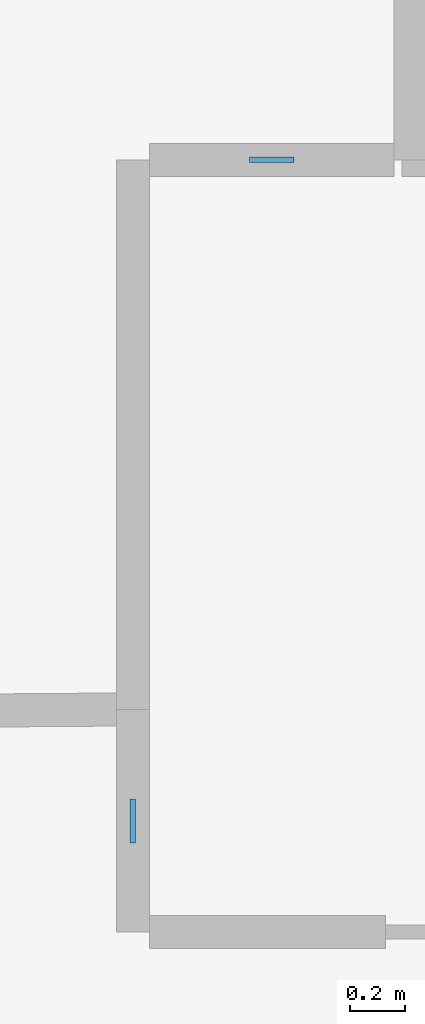
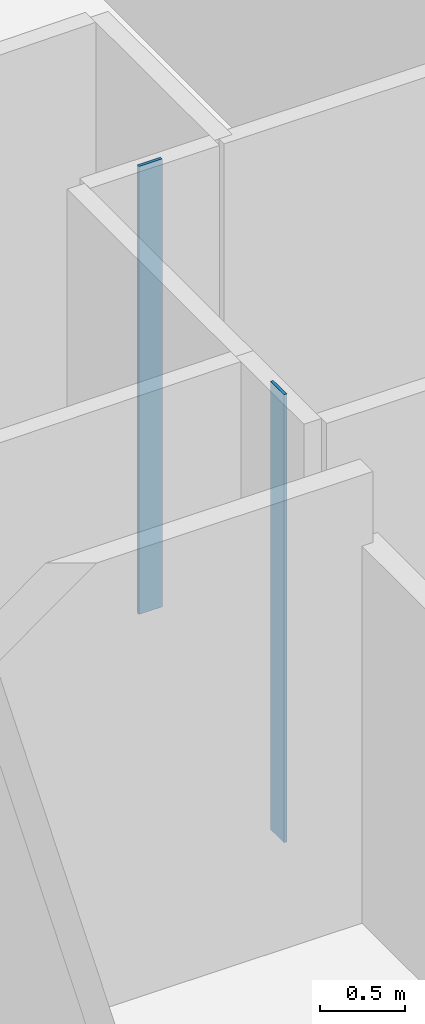
# One storey, part 7 of 14: 2 plates.
"""IFC4 building model written with IfcOpenShell, lengths in metres."""

import ifcopenshell
import ifcopenshell.guid

model = None  # the IFC model being written
_history = None  # IfcOwnerHistory: only IFC2X3 demands one
_inside = {}  # id of a spatial element -> (the spatial element, [elements in it])
_under = {}  # id of a project, library or spatial element -> (it, [spatial elements below it])
_declared = {}  # id of a project -> (the project, [libraries it declares])
_typed = {}  # id of a type object -> (the type object, [elements of that type])
_made_of = {}  # id of a material, layer set ... -> (it, [elements and type objects made of it])


def new_model(schema):
    """Start an empty IFC model of exactly this schema.

    Asked for "IFC4X3", IfcOpenShell would pick the latest addendum, in which some entities
    have other attributes; the version numbers below select the first issue.
    IFC2X3 requires an IfcOwnerHistory on every rooted entity: one is made here for all.
    """
    global model, _history
    if schema == "IFC4X3":
        model = ifcopenshell.file(schema_version=(4, 3, 0, 0))
    else:
        model = ifcopenshell.file(schema=schema)
    _inside.clear()
    _under.clear()
    _declared.clear()
    _typed.clear()
    _made_of.clear()
    _history = None
    if model.schema == "IFC2X3":
        org = make("IfcOrganization", Name="unknown")
        user = make(
            "IfcPersonAndOrganization",
            ThePerson=make("IfcPerson", FamilyName="unknown"),
            TheOrganization=org,
        )
        app = make(
            "IfcApplication",
            ApplicationDeveloper=org,
            Version="unknown",
            ApplicationFullName="unknown",
            ApplicationIdentifier="unknown",
        )
        _history = make(
            "IfcOwnerHistory",
            OwningUser=user,
            OwningApplication=app,
            ChangeAction="ADDED",
            CreationDate=0,
        )
    return model


def make(cls, **values):
    """One entity of the class cls with the attributes given. An attribute that is None is left unset."""
    return model.create_entity(
        cls, **{name: value for name, value in values.items() if value is not None}
    )


def rooted(cls, **values):
    """An entity with a GlobalId (a new one), such as an element, a storey or a relation."""
    return make(cls, GlobalId=ifcopenshell.guid.new(), OwnerHistory=_history, **values)


def si_unit(unit_type, name, prefix=None):
    """IfcSIUnit, for example si_unit("LENGTHUNIT", "METRE", prefix="MILLI")."""
    return make("IfcSIUnit", UnitType=unit_type, Prefix=prefix, Name=name)


def assignment(units):
    """IfcUnitAssignment: the units of a project."""
    return None if units is None else make("IfcUnitAssignment", Units=units)


def point(xyz):
    """IfcCartesianPoint."""
    return None if xyz is None else make("IfcCartesianPoint", Coordinates=xyz)


def direction(xyz):
    """IfcDirection."""
    return None if xyz is None else make("IfcDirection", DirectionRatios=xyz)


def frame(location, z_axis=None, x_axis=None):
    """IfcAxis2Placement3D, a coordinate frame: its origin and axes. An axis left out is left unset."""
    return make(
        "IfcAxis2Placement3D",
        Location=point(location),
        Axis=direction(z_axis),
        RefDirection=direction(x_axis),
    )


def frame_2d(location, x_axis=None):
    """IfcAxis2Placement2D, a coordinate frame in the plane: its origin and x axis."""
    return make(
        "IfcAxis2Placement2D", Location=point(location), RefDirection=direction(x_axis)
    )


def origin():
    """The frame at (0, 0, 0) with its axes left unset."""
    return frame((0.0, 0.0, 0.0))


def origin_2d():
    """The frame at (0, 0) in the plane with its x axis left unset."""
    return frame_2d((0.0, 0.0))


def place(relative_to, where):
    """IfcLocalPlacement: puts the frame where relative to a parent placement (None: the world)."""
    return make(
        "IfcLocalPlacement", PlacementRelTo=relative_to, RelativePlacement=where
    )


def context(
    kind, dimensions, precision=None, world=None, true_north=None, identifier=None
):
    """IfcGeometricRepresentationContext, for example the 3D "Model" context."""
    return make(
        "IfcGeometricRepresentationContext",
        ContextIdentifier=identifier,
        ContextType=kind,
        CoordinateSpaceDimension=dimensions,
        Precision=precision,
        WorldCoordinateSystem=world,
        TrueNorth=true_north,
    )


def subcontext(parent, identifier, kind, view, scale=None):
    """IfcGeometricRepresentationSubContext, for example "Body" below "Model"."""
    return make(
        "IfcGeometricRepresentationSubContext",
        ContextIdentifier=identifier,
        ContextType=kind,
        ParentContext=parent,
        TargetScale=scale,
        TargetView=view,
    )


def project(units=None, contexts=None):
    """IfcProject with its units and contexts."""
    return rooted(
        "IfcProject",
        Name="project",
        RepresentationContexts=contexts,
        UnitsInContext=assignment(units),
    )


def spatial(cls, under=None, at=None, **own):
    """A site, building, storey or space (cls), placed at a placement, below another one or the project."""
    s = rooted(cls, ObjectPlacement=at, **own)
    if under is not None:
        _under.setdefault(under.id(), (under, []))[1].append(s)
    return s


def profile(cls, at=None, kind="AREA", **sizes):
    """A parametric profile (cls). Its sizes go by their IFC names, for example OverallWidth=200.0."""
    return make(cls, ProfileType=kind, Position=at, **sizes)


def rectangle(**sizes):
    """IfcRectangleProfileDef."""
    return profile("IfcRectangleProfileDef", **sizes)


def extrude(swept, where, along, depth):
    """IfcExtrudedAreaSolid: the profile swept, set in the frame where, extruded along a direction by depth."""
    return make(
        "IfcExtrudedAreaSolid",
        SweptArea=swept,
        Position=where,
        ExtrudedDirection=direction(along),
        Depth=depth,
    )


def shape(context_of_items, identifier, shape_type, items):
    """IfcShapeRepresentation: the items that make up one representation, for example the "Body"."""
    return make(
        "IfcShapeRepresentation",
        ContextOfItems=context_of_items,
        RepresentationIdentifier=identifier,
        RepresentationType=shape_type,
        Items=items,
    )


def material(Name=None, Category=None):
    """IfcMaterial."""
    return make("IfcMaterial", Name=Name, Category=Category)


def layer(
    of_material, thickness, ventilated=None, Name=None, Category=None, Priority=None
):
    """IfcMaterialLayer: one layer of a wall or slab, of a material (None: an air gap)."""
    return make(
        "IfcMaterialLayer",
        Material=of_material,
        LayerThickness=thickness,
        IsVentilated=ventilated,
        Name=Name,
        Category=Category,
        Priority=Priority,
    )


def layer_set(layers, Name=None):
    """IfcMaterialLayerSet."""
    return make("IfcMaterialLayerSet", MaterialLayers=layers, LayerSetName=Name)


def made_of(thing, what):
    """Note that an element or type object is made of a material, layer set ...; save() writes the relation."""
    if what is not None:
        _made_of.setdefault(what.id(), (what, []))[1].append(thing)
    return thing


def type_object(cls, material=None, **own):
    """A type object (cls), such as IfcWallType, which elements share."""
    return made_of(rooted(cls, **own), material)


def element(
    cls,
    number,
    at=None,
    inside=None,
    cuts=None,
    type_object=None,
    material=None,
    context=None,
    identifier="Body",
    shape_type=None,
    held_by="IfcProductDefinitionShape",
    body=None,
    shapes=None,
    **own,
):
    """One element of the class cls, such as IfcWall. Its Tag is "e" and its number.

    at: its placement. inside: the storey or other place that contains it. cuts: it is an
    opening in that element (IfcRelVoidsElement). A single representation is given by context,
    identifier, shape_type and body (its items); several are given by shapes. held_by: the class
    of the entity that holds the representations. save() writes the other relations.
    """
    e = rooted(cls, Tag="e%d" % number, ObjectPlacement=at, **own)
    if body is not None:
        shapes = [shape(context, identifier, shape_type, body)]
    if shapes is not None:
        e.Representation = make(held_by, Representations=shapes)
    if inside is not None:
        _inside.setdefault(inside.id(), (inside, []))[1].append(e)
    if cuts is not None:
        rooted(
            "IfcRelVoidsElement", RelatingBuildingElement=cuts, RelatedOpeningElement=e
        )
    if type_object is not None:
        _typed.setdefault(type_object.id(), (type_object, []))[1].append(e)
    return made_of(e, material)


def aggregate(whole, parts):
    """IfcRelAggregates: a whole, such as a stair, and the parts it consists of."""
    return rooted("IfcRelAggregates", RelatingObject=whole, RelatedObjects=parts)


def save(model, path):
    """Write the relations noted so far, then the file.

    IfcRelAggregates (storeys below a building ...), IfcRelContainedInSpatialStructure (elements
    in a storey), IfcRelDefinesByType, IfcRelAssociatesMaterial and IfcRelDeclares: one each for
    every whole, place, type object, material and project.
    """
    for whole, parts in _under.values():
        aggregate(whole, parts)
    for where, things in _inside.values():
        rooted(
            "IfcRelContainedInSpatialStructure",
            RelatedElements=things,
            RelatingStructure=where,
        )
    for kind, things in _typed.values():
        rooted("IfcRelDefinesByType", RelatedObjects=things, RelatingType=kind)
    for what, things in _made_of.values():
        rooted("IfcRelAssociatesMaterial", RelatedObjects=things, RelatingMaterial=what)
    for by, libraries in _declared.values():
        rooted("IfcRelDeclares", RelatingContext=by, RelatedDefinitions=libraries)
    model.write(path)


model = new_model("IFC4")

# Units and contexts
model_context = context("Model", 3, precision=1e-05, world=origin(), true_north=direction((0.0, 1.0)))
body_context = subcontext(model_context, "Body", "Model", "MODEL_VIEW")
ifc_project = project(units=[si_unit("LENGTHUNIT", "METRE"), si_unit("AREAUNIT", "SQUARE_METRE"), si_unit("VOLUMEUNIT", "CUBIC_METRE"), si_unit("PLANEANGLEUNIT", "RADIAN"), si_unit("MASSUNIT", "GRAM", prefix="KILO")], contexts=[model_context])

# Site, building, storey
site_placement = place(None, origin())
site = spatial("IfcSite", under=ifc_project, at=site_placement, CompositionType="ELEMENT")
building_placement = place(site_placement, origin())
building = spatial("IfcBuilding", under=site, at=building_placement, Name="Miruveldt Soraemaru", CompositionType="ELEMENT")
storey_placement = place(building_placement, frame((0.0, 0.0, 114.39990234375)))
storey = spatial("IfcBuildingStorey", under=building, at=storey_placement, Name="L31", CompositionType="ELEMENT", Elevation=114.39990234375)

# Plates
ifc_material = material(Name="Anodised aluminium EN AW-6063 T6", Category="aluminium")
ifc_layer = layer(ifc_material, 0.02001953125, Name="Anodised aluminium EN AW-6063 T6", Category="aluminium")
ifc_layer_set = layer_set([ifc_layer], Name="Anodised aluminium EN AW-6063 T6")
plate_type = type_object("IfcPlateType", Name="PLT-PART-TRIM", PredefinedType="SHEET", material=ifc_layer_set)
for number, where, z_axis, x_axis, name in (
    (1, (39.0439453125, 59.7333984375, 0.0), (0.0, 0.0, 1.0), (0.0, -1.0, 0.0), "L31 Partition Step Corner Trim Plate 016"),
    (2, (39.547119140625, 62.1298828125, 0.0), (0.0, 0.0, 1.0), (-1.0, 0.0, 0.0), "L31 Partition Step Corner Trim Plate 023"),
):
    element("IfcPlate", number, at=place(storey_placement, frame(where, z_axis=z_axis, x_axis=x_axis)), inside=storey, type_object=plate_type, Name=name, PredefinedType="SHEET", context=body_context, shape_type="SweptSolid", body=[
        extrude(rectangle(XDim=0.159912109375, YDim=0.02001953125, at=origin_2d()), origin(), (0.0, 0.0, 1.0), 3.235107421875),
    ])

save(model, "model.ifc")
